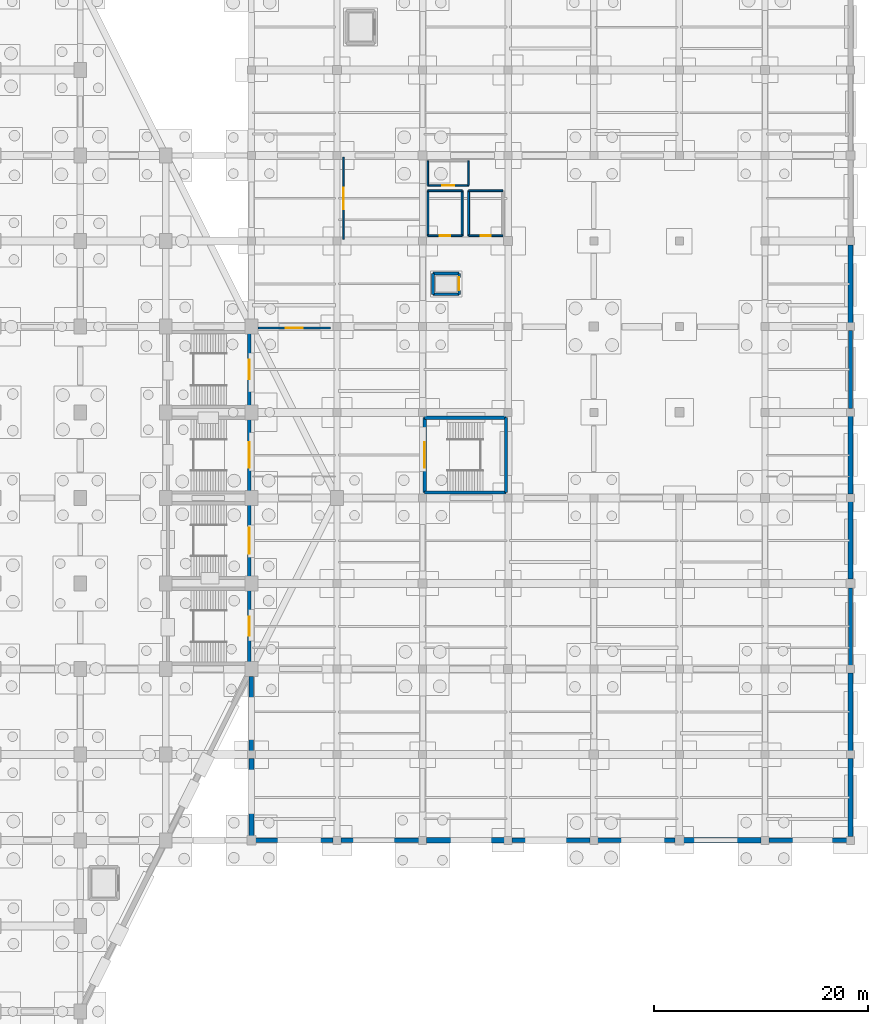
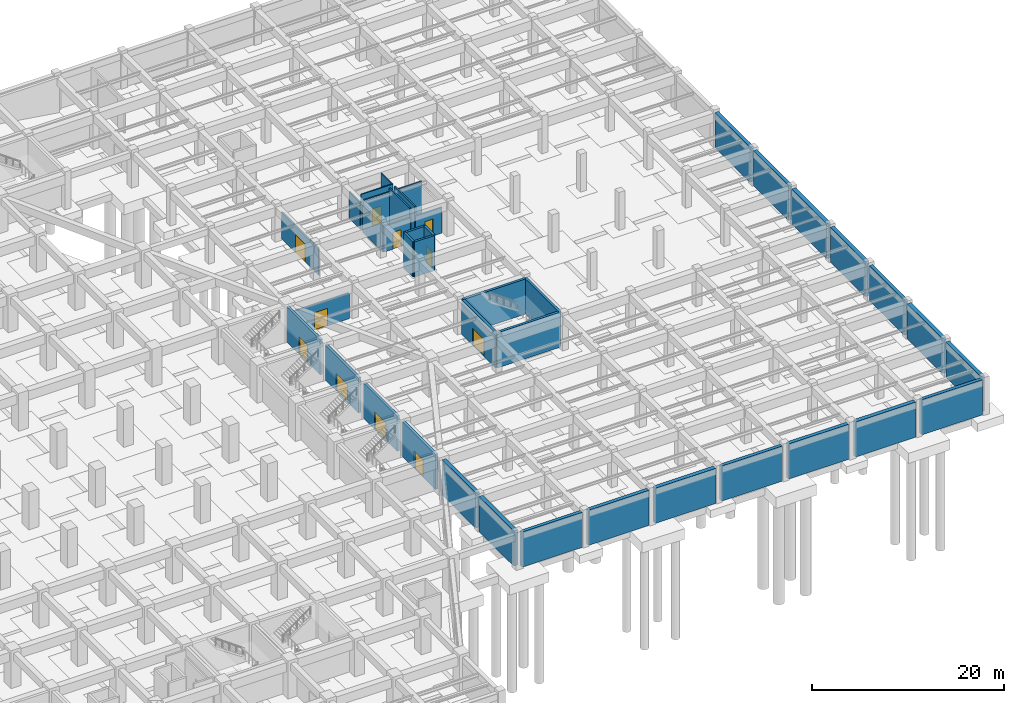
# One storey, part 28 of 36: 40 walls, 11 doors, 11 openings.
"""IFC4 building model written with IfcOpenShell, lengths in metres."""

from ifc_helpers import new_model, si_unit, direction, frame, frame_2d, origin, place, context, subcontext, project, spatial, rectangle, extrude, material, layer, layer_set, type_object, element, fill, save


model = new_model("IFC4")

# Units and contexts
model_context = context("Model", 3, precision=1e-05, world=origin(), true_north=direction((0.0, 1.0)))
body_context = subcontext(model_context, "Body", "Model", "MODEL_VIEW")
ifc_project = project(units=[si_unit("LENGTHUNIT", "METRE"), si_unit("AREAUNIT", "SQUARE_METRE"), si_unit("VOLUMEUNIT", "CUBIC_METRE"), si_unit("PLANEANGLEUNIT", "RADIAN"), si_unit("MASSUNIT", "GRAM", prefix="KILO")], contexts=[model_context])

# Site, building, storey
site_placement = place(None, origin())
site = spatial("IfcSite", under=ifc_project, at=site_placement, CompositionType="ELEMENT")
building_placement = place(site_placement, origin())
building = spatial("IfcBuilding", under=site, at=building_placement, Name="Tazarka Park Arena", CompositionType="ELEMENT")
storey_placement = place(building_placement, frame((0.0, 0.0, -4.800048828125)))
storey = spatial("IfcBuildingStorey", under=building, at=storey_placement, Name="B1", CompositionType="ELEMENT", Elevation=-4.800048828125)

# Wall, opening, door
ifc_material_1 = material(Name="Concrete C40/50", Category="concrete")
ifc_layer_1 = layer(ifc_material_1, 0.300048828125, Name="Concrete C40/50")
ifc_layer_set_1 = layer_set([ifc_layer_1], Name="Concrete C40/50")
wall_type_1 = type_object("IfcWallType", Name="IWAL-CW-S1", PredefinedType="SHEAR", material=ifc_layer_set_1)
wall_1_placement = place(storey_placement, frame((127.800048828125, 63.5, 0.0), z_axis=(0.0, 0.0, 1.0), x_axis=(0.0, -1.0, 0.0)))
wall_1 = element("IfcWall", 1, at=wall_1_placement, inside=storey, type_object=wall_type_1, Name="SCW-B1-ST12-E", PredefinedType="SHEAR", context=body_context, shape_type="SweptSolid", body=[
    extrude(rectangle(XDim=7.0, YDim=0.300048828125, at=frame_2d((3.5, 0.0))), origin(), (0.0, 0.0, 1.0), 4.4599609375),
])
opening_1_placement = place(wall_1_placement, frame((2.300048828125, 0.0, 0.0)))
opening_1 = element("IfcOpeningElement", 2, at=opening_1_placement, cuts=wall_1, Name="Opening ID-05", PredefinedType="OPENING", context=body_context, shape_type="SweptSolid", body=[
    extrude(rectangle(XDim=2.39990234375, YDim=2.199951171875, at=frame_2d((1.199951171875, 1.10009765625))), frame((0.0, 0.16015625, 0.0), z_axis=(0.0, -1.0, 0.0), x_axis=(1.0, 0.0, 0.0)), (0.0, 0.0, 1.0), 0.320068359375),
])
ifc_material_2 = material(Name="Fire-rated powder-coated steel and acoustic timber", Category="steel")
door_type_1 = type_object("IfcDoorType", Name="IDR-ID-05", OperationType="NOTDEFINED", PredefinedType="DOOR", material=ifc_material_2)
door_1_placement = place(opening_1_placement, frame((2.39990234375, 0.0, 0.0), z_axis=(0.0, 0.0, 1.0), x_axis=(-1.0, 0.0, 0.0)))
door_1 = element("IfcDoor", 3, at=door_1_placement, inside=storey, type_object=door_type_1, Name="Exit Stair Door ST12-B1", OperationType="DOUBLE_DOOR_SINGLE_SWING", OverallHeight=2.199951171875, OverallWidth=2.39990234375, PredefinedType="DOOR", context=body_context, shape_type="SweptSolid", body=[
    extrude(rectangle(XDim=2.39990234375, YDim=2.199951171875, at=frame_2d((1.199951171875, 1.10009765625))), frame((0.0, 0.02490234375, 0.0), z_axis=(0.0, -1.0, 0.0), x_axis=(1.0, 0.0, 0.0)), (0.0, 0.0, 1.0), 0.050048828125),
])
fill(opening_1, door_1)

wall_2_placement = place(storey_placement, frame((127.800048828125, 71.5, 0.0), z_axis=(0.0, 0.0, 1.0), x_axis=(0.0, -1.0, 0.0)))
wall_2 = element("IfcWall", 4, at=wall_2_placement, inside=storey, type_object=wall_type_1, Name="SCW-B1-ST16-E", PredefinedType="SHEAR", context=body_context, shape_type="SweptSolid", body=[
    extrude(rectangle(XDim=7.0, YDim=0.300048828125, at=frame_2d((3.5, 0.0))), origin(), (0.0, 0.0, 1.0), 4.4599609375),
])
opening_2_placement = place(wall_2_placement, frame((2.300048828125, 0.0, 0.0)))
opening_2 = element("IfcOpeningElement", 5, at=opening_2_placement, cuts=wall_2, Name="Opening ID-05", PredefinedType="OPENING", context=body_context, shape_type="SweptSolid", body=[
    extrude(rectangle(XDim=2.39990234375, YDim=2.199951171875, at=frame_2d((1.199951171875, 1.10009765625))), frame((0.0, 0.16015625, 0.0), z_axis=(0.0, -1.0, 0.0), x_axis=(1.0, 0.0, 0.0)), (0.0, 0.0, 1.0), 0.320068359375),
])
door_2_placement = place(opening_2_placement, frame((2.39990234375, 0.0, 0.0), z_axis=(0.0, 0.0, 1.0), x_axis=(-1.0, 0.0, 0.0)))
door_2 = element("IfcDoor", 6, at=door_2_placement, inside=storey, type_object=door_type_1, Name="Exit Stair Door ST16-B1", OperationType="DOUBLE_DOOR_SINGLE_SWING", OverallHeight=2.199951171875, OverallWidth=2.39990234375, PredefinedType="DOOR", context=body_context, shape_type="SweptSolid", body=[
    extrude(rectangle(XDim=2.39990234375, YDim=2.199951171875, at=frame_2d((1.199951171875, 1.10009765625))), frame((0.0, 0.02490234375, 0.0), z_axis=(0.0, -1.0, 0.0), x_axis=(1.0, 0.0, 0.0)), (0.0, 0.0, 1.0), 0.050048828125),
])
fill(opening_2, door_2)

# Wall
wall_3_placement = place(storey_placement, frame((151.800048828125, 64.5, 0.0), z_axis=(0.0, 0.0, 1.0), x_axis=(-1.0, 0.0, 0.0)))
element("IfcWall", 7, at=wall_3_placement, inside=storey, type_object=wall_type_1, Name="SCW-B1-ST18-S", PredefinedType="SHEAR", context=body_context, shape_type="SweptSolid", body=[
    extrude(rectangle(XDim=7.60009765625, YDim=0.300048828125, at=frame_2d((3.800048828125, 0.0))), origin(), (0.0, 0.0, 1.0), 4.4599609375),
])

# Wall, opening, door
wall_4_placement = place(storey_placement, frame((144.199951171875, 64.5, 0.0), z_axis=(0.0, 0.0, 1.0), x_axis=(0.0, 1.0, 0.0)))
wall_4 = element("IfcWall", 8, at=wall_4_placement, inside=storey, type_object=wall_type_1, Name="SCW-B1-ST18-W", PredefinedType="SHEAR", context=body_context, shape_type="SweptSolid", body=[
    extrude(rectangle(XDim=7.0, YDim=0.300048828125, at=frame_2d((3.5, 0.0))), origin(), (0.0, 0.0, 1.0), 4.4599609375),
])
opening_3_placement = place(wall_4_placement, frame((2.300048828125, 0.0, 0.0)))
opening_3 = element("IfcOpeningElement", 9, at=opening_3_placement, cuts=wall_4, Name="Opening ID-05", PredefinedType="OPENING", context=body_context, shape_type="SweptSolid", body=[
    extrude(rectangle(XDim=2.39990234375, YDim=2.199951171875, at=frame_2d((1.199951171875, 1.10009765625))), frame((0.0, 0.16015625, 0.0), z_axis=(0.0, -1.0, 0.0), x_axis=(1.0, 0.0, 0.0)), (0.0, 0.0, 1.0), 0.320068359375),
])
door_3_placement = place(opening_3_placement, frame((2.39990234375, 0.0, 0.0), z_axis=(0.0, 0.0, 1.0), x_axis=(-1.0, 0.0, 0.0)))
door_3 = element("IfcDoor", 10, at=door_3_placement, inside=storey, type_object=door_type_1, Name="Exit Stair Door ST18-B1", OperationType="DOUBLE_DOOR_SINGLE_SWING", OverallHeight=2.199951171875, OverallWidth=2.39990234375, PredefinedType="DOOR", context=body_context, shape_type="SweptSolid", body=[
    extrude(rectangle(XDim=2.39990234375, YDim=2.199951171875, at=frame_2d((1.199951171875, 1.10009765625))), frame((0.0, 0.02490234375, 0.0), z_axis=(0.0, -1.0, 0.0), x_axis=(1.0, 0.0, 0.0)), (0.0, 0.0, 1.0), 0.050048828125),
])
fill(opening_3, door_3)

# Walls
wall_5_placement = place(storey_placement, frame((144.199951171875, 71.5, 0.0), z_axis=(0.0, 0.0, 1.0), x_axis=(1.0, 0.0, 0.0)))
element("IfcWall", 11, at=wall_5_placement, inside=storey, type_object=wall_type_1, Name="SCW-B1-ST18-N", PredefinedType="SHEAR", context=body_context, shape_type="SweptSolid", body=[
    extrude(rectangle(XDim=7.60009765625, YDim=0.300048828125, at=frame_2d((3.800048828125, 0.0))), origin(), (0.0, 0.0, 1.0), 4.4599609375),
])
wall_6_placement = place(storey_placement, frame((151.800048828125, 71.5, 0.0), z_axis=(0.0, 0.0, 1.0), x_axis=(0.0, -1.0, 0.0)))
element("IfcWall", 12, at=wall_6_placement, inside=storey, type_object=wall_type_1, Name="SCW-B1-ST18-E", PredefinedType="SHEAR", context=body_context, shape_type="SweptSolid", body=[
    extrude(rectangle(XDim=7.0, YDim=0.300048828125, at=frame_2d((3.5, 0.0))), origin(), (0.0, 0.0, 1.0), 4.4599609375),
])

# Wall, opening, door
wall_7_placement = place(storey_placement, frame((127.800048828125, 55.5, 0.0), z_axis=(0.0, 0.0, 1.0), x_axis=(0.0, -1.0, 0.0)))
wall_7 = element("IfcWall", 13, at=wall_7_placement, inside=storey, type_object=wall_type_1, Name="SCW-B1-ST21-E", PredefinedType="SHEAR", context=body_context, shape_type="SweptSolid", body=[
    extrude(rectangle(XDim=7.0, YDim=0.300048828125, at=frame_2d((3.5, 0.0))), origin(), (0.0, 0.0, 1.0), 4.4599609375),
])
opening_4_placement = place(wall_7_placement, frame((2.60009765625, 0.0, 0.0)))
opening_4 = element("IfcOpeningElement", 14, at=opening_4_placement, cuts=wall_7, Name="Opening ID-04", PredefinedType="OPENING", context=body_context, shape_type="SweptSolid", body=[
    extrude(rectangle(XDim=1.800048828125, YDim=2.199951171875, at=frame_2d((0.89990234375, 1.10009765625))), frame((0.0, 0.16015625, 0.0), z_axis=(0.0, -1.0, 0.0), x_axis=(1.0, 0.0, 0.0)), (0.0, 0.0, 1.0), 0.320068359375),
])
ifc_material_3 = material(Name="Fire-rated powder-coated steel and acoustic timber", Category="steel")
door_type_2 = type_object("IfcDoorType", Name="IDR-ID-04", OperationType="NOTDEFINED", PredefinedType="DOOR", material=ifc_material_3)
door_4_placement = place(opening_4_placement, frame((1.800048828125, 0.0, 0.0), z_axis=(0.0, 0.0, 1.0), x_axis=(-1.0, 0.0, 0.0)))
door_4 = element("IfcDoor", 15, at=door_4_placement, inside=storey, type_object=door_type_2, Name="Vomitory Stair Door ST21-B1", OperationType="DOUBLE_DOOR_SINGLE_SWING", OverallHeight=2.199951171875, OverallWidth=1.800048828125, PredefinedType="DOOR", context=body_context, shape_type="SweptSolid", body=[
    extrude(rectangle(XDim=1.800048828125, YDim=2.199951171875, at=frame_2d((0.89990234375, 1.10009765625))), frame((0.0, 0.02490234375, 0.0), z_axis=(0.0, -1.0, 0.0), x_axis=(1.0, 0.0, 0.0)), (0.0, 0.0, 1.0), 0.050048828125),
])
fill(opening_4, door_4)

wall_8_placement = place(storey_placement, frame((127.800048828125, 79.5, 0.0), z_axis=(0.0, 0.0, 1.0), x_axis=(0.0, -1.0, 0.0)))
wall_8 = element("IfcWall", 16, at=wall_8_placement, inside=storey, type_object=wall_type_1, Name="SCW-B1-ST22-E", PredefinedType="SHEAR", context=body_context, shape_type="SweptSolid", body=[
    extrude(rectangle(XDim=7.0, YDim=0.300048828125, at=frame_2d((3.5, 0.0))), origin(), (0.0, 0.0, 1.0), 4.4599609375),
])
opening_5_placement = place(wall_8_placement, frame((2.60009765625, 0.0, 0.0)))
opening_5 = element("IfcOpeningElement", 17, at=opening_5_placement, cuts=wall_8, Name="Opening ID-04", PredefinedType="OPENING", context=body_context, shape_type="SweptSolid", body=[
    extrude(rectangle(XDim=1.800048828125, YDim=2.199951171875, at=frame_2d((0.89990234375, 1.10009765625))), frame((0.0, 0.16015625, 0.0), z_axis=(0.0, -1.0, 0.0), x_axis=(1.0, 0.0, 0.0)), (0.0, 0.0, 1.0), 0.320068359375),
])
door_5_placement = place(opening_5_placement, frame((1.800048828125, 0.0, 0.0), z_axis=(0.0, 0.0, 1.0), x_axis=(-1.0, 0.0, 0.0)))
door_5 = element("IfcDoor", 18, at=door_5_placement, inside=storey, type_object=door_type_2, Name="Vomitory Stair Door ST22-B1", OperationType="DOUBLE_DOOR_SINGLE_SWING", OverallHeight=2.199951171875, OverallWidth=1.800048828125, PredefinedType="DOOR", context=body_context, shape_type="SweptSolid", body=[
    extrude(rectangle(XDim=1.800048828125, YDim=2.199951171875, at=frame_2d((0.89990234375, 1.10009765625))), frame((0.0, 0.02490234375, 0.0), z_axis=(0.0, -1.0, 0.0), x_axis=(1.0, 0.0, 0.0)), (0.0, 0.0, 1.0), 0.050048828125),
])
fill(opening_5, door_5)

# Walls
ifc_material_4 = material(Name="Concrete C40/50", Category="concrete")
ifc_layer_2 = layer(ifc_material_4, 0.260009765625, Name="Concrete C40/50")
ifc_layer_set_2 = layer_set([ifc_layer_2], Name="Concrete C40/50")
wall_type_2 = type_object("IfcWallType", Name="IWAL-CW-S3", PredefinedType="SHEAR", material=ifc_layer_set_2)
wall_9_placement = place(storey_placement, frame((144.97998046875, 83.030029296875, 0.0), z_axis=(0.0, 0.0, 1.0), x_axis=(0.0, 1.0, 0.0)))
element("IfcWall", 19, at=wall_9_placement, inside=storey, type_object=wall_type_2, Name="LSW-B1-LF-10-W", PredefinedType="SHEAR", context=body_context, shape_type="SweptSolid", body=[
    extrude(rectangle(XDim=1.93994140625, YDim=0.260009765625, at=frame_2d((0.969970703125, 0.0))), origin(), (0.0, 0.0, 1.0), 4.4599609375),
])
for number, where, z_axis, x_axis, name in (
    (20, (144.97998046875, 84.969970703125, 0.0), (0.0, 0.0, 1.0), (1.0, 0.0, 0.0), "LSW-B1-LF-10-N"),
    (21, (147.419921875, 83.030029296875, 0.0), (0.0, 0.0, 1.0), (-1.0, 0.0, 0.0), "LSW-B1-LF-10-S"),
):
    element("IfcWall", number, at=place(storey_placement, frame(where, z_axis=z_axis, x_axis=x_axis)), inside=storey, type_object=wall_type_2, Name=name, PredefinedType="SHEAR", context=body_context, shape_type="SweptSolid", body=[
        extrude(rectangle(XDim=2.43994140625, YDim=0.260009765625, at=frame_2d((1.219970703125, 0.0))), origin(), (0.0, 0.0, 1.0), 4.4599609375),
    ])

# Wall, opening, door
wall_10_placement = place(storey_placement, frame((147.419921875, 84.969970703125, 0.0), z_axis=(0.0, 0.0, 1.0), x_axis=(0.0, -1.0, 0.0)))
wall_10 = element("IfcWall", 22, at=wall_10_placement, inside=storey, type_object=wall_type_2, Name="LSW-B1-LF-10-E", PredefinedType="SHEAR", context=body_context, shape_type="SweptSolid", body=[
    extrude(rectangle(XDim=1.93994140625, YDim=0.260009765625, at=frame_2d((0.969970703125, 0.0))), origin(), (0.0, 0.0, 1.0), 4.4599609375),
])
opening_6_placement = place(wall_10_placement, frame((0.3701171875, 0.0, 0.0)))
opening_6 = element("IfcOpeningElement", 23, at=opening_6_placement, cuts=wall_10, Name="Opening LD-02", PredefinedType="OPENING", context=body_context, shape_type="SweptSolid", body=[
    extrude(rectangle(XDim=1.199951171875, YDim=2.14990234375, at=frame_2d((0.60009765625, 1.074951171875))), frame((0.0, 0.14013671875, 0.0), z_axis=(0.0, -1.0, 0.0), x_axis=(1.0, 0.0, 0.0)), (0.0, 0.0, 1.0), 0.280029296875),
])
ifc_material_5 = material(Name="Fire-rated powder-coated steel and acoustic timber", Category="steel")
door_type_3 = type_object("IfcDoorType", Name="IDR-LD-02", OperationType="NOTDEFINED", PredefinedType="DOOR", material=ifc_material_5)
door_6_placement = place(opening_6_placement, origin())
door_6 = element("IfcDoor", 24, at=door_6_placement, inside=storey, type_object=door_type_3, Name="Lift Landing Door LF-10-B1", OperationType="SLIDING_TO_LEFT", OverallHeight=2.14990234375, OverallWidth=1.199951171875, PredefinedType="DOOR", context=body_context, shape_type="SweptSolid", body=[
    extrude(rectangle(XDim=1.199951171875, YDim=2.14990234375, at=frame_2d((0.60009765625, 1.074951171875))), frame((0.0, 0.02490234375, 0.0), z_axis=(0.0, -1.0, 0.0), x_axis=(1.0, 0.0, 0.0)), (0.0, 0.0, 1.0), 0.050048828125),
])
fill(opening_6, door_6)

ifc_material_6 = material(Name="High-isolation suite party partition")
ifc_layer_3 = layer(ifc_material_6, 0.18994140625, Name="High-isolation suite party partition")
ifc_layer_set_3 = layer_set([ifc_layer_3], Name="High-isolation suite party partition")
wall_type_3 = type_object("IfcWallType", Name="IWAL-PT-08", PredefinedType="PARTITIONING", material=ifc_layer_set_3)
wall_11_placement = place(storey_placement, frame((128.611083984375, 79.89990234375, 0.0), z_axis=(0.0, 0.0, 1.0), x_axis=(1.0, 0.0, 0.0)))
wall_11 = element("IfcWall", 25, at=wall_11_placement, inside=storey, type_object=wall_type_3, Name="PRT-B1-006", PredefinedType="PARTITIONING", context=body_context, shape_type="SweptSolid", body=[
    extrude(rectangle(XDim=6.77783203125, YDim=0.18994140625, at=frame_2d((3.388916015625, 0.0))), origin(), (0.0, 0.0, 1.0), 3.25),
])
opening_7_placement = place(wall_11_placement, frame((2.5888671875, 0.0, 0.0)))
opening_7 = element("IfcOpeningElement", 26, at=opening_7_placement, cuts=wall_11, Name="Opening ID-07", PredefinedType="OPENING", context=body_context, shape_type="SweptSolid", body=[
    extrude(rectangle(XDim=1.60009765625, YDim=2.199951171875, at=frame_2d((0.800048828125, 1.10009765625))), frame((0.0, 0.10498046875, 0.0), z_axis=(0.0, -1.0, 0.0), x_axis=(1.0, 0.0, 0.0)), (0.0, 0.0, 1.0), 0.2099609375),
])
ifc_material_7 = material(Name="Fire-rated powder-coated steel and acoustic timber", Category="steel")
door_type_4 = type_object("IfcDoorType", Name="IDR-ID-07", OperationType="NOTDEFINED", PredefinedType="DOOR", material=ifc_material_7)
door_7_placement = place(opening_7_placement, origin())
door_7 = element("IfcDoor", 27, at=door_7_placement, inside=storey, type_object=door_type_4, Name="Room Door Athlete Hydrotherapy and Conditioning Suite", OperationType="DOUBLE_DOOR_SINGLE_SWING", OverallHeight=2.199951171875, OverallWidth=1.60009765625, PredefinedType="DOOR", context=body_context, shape_type="SweptSolid", body=[
    extrude(rectangle(XDim=1.60009765625, YDim=2.199951171875, at=frame_2d((0.800048828125, 1.10009765625))), frame((0.0, 0.02490234375, 0.0), z_axis=(0.0, -1.0, 0.0), x_axis=(1.0, 0.0, 0.0)), (0.0, 0.0, 1.0), 0.050048828125),
])
fill(opening_7, door_7)

ifc_material_8 = material(Name="Lightweight metal-stud partition")
ifc_layer_4 = layer(ifc_material_8, 0.125, Name="Lightweight metal-stud partition")
ifc_layer_set_4 = layer_set([ifc_layer_4], Name="Lightweight metal-stud partition")
wall_type_4 = type_object("IfcWallType", Name="IWAL-PT-09", PredefinedType="PARTITIONING", material=ifc_layer_set_4)
wall_12_placement = place(storey_placement, frame((136.60009765625, 88.1533203125, 0.0), z_axis=(0.0, 0.0, 1.0), x_axis=(0.0, 1.0, 0.0)))
wall_12 = element("IfcWall", 28, at=wall_12_placement, inside=storey, type_object=wall_type_4, Name="PRT-B1-007", PredefinedType="PARTITIONING", context=body_context, shape_type="SweptSolid", body=[
    extrude(rectangle(XDim=7.693359375, YDim=0.125, at=frame_2d((3.8466796875, 0.0))), origin(), (0.0, 0.0, 1.0), 3.449951171875),
])
opening_8_placement = place(wall_12_placement, frame((2.8466796875, 0.0, 0.0)))
opening_8 = element("IfcOpeningElement", 29, at=opening_8_placement, cuts=wall_12, Name="Opening ID-08", PredefinedType="OPENING", context=body_context, shape_type="SweptSolid", body=[
    extrude(rectangle(XDim=2.0, YDim=2.25, at=frame_2d((1.0, 1.125))), frame((0.0, 0.072509765625, 0.0), z_axis=(0.0, -1.0, 0.0), x_axis=(1.0, 0.0, 0.0)), (0.0, 0.0, 1.0), 0.14501953125),
])
ifc_material_9 = material(Name="Fire-rated powder-coated steel and acoustic timber", Category="steel")
door_type_5 = type_object("IfcDoorType", Name="IDR-ID-08", OperationType="NOTDEFINED", PredefinedType="DOOR", material=ifc_material_9)
door_8_placement = place(opening_8_placement, origin())
door_8 = element("IfcDoor", 30, at=door_8_placement, inside=storey, type_object=door_type_5, Name="Room Door Team Equipment Laundry and Kit Management Suite", OperationType="DOUBLE_DOOR_SINGLE_SWING", OverallHeight=2.25, OverallWidth=2.0, PredefinedType="DOOR", context=body_context, shape_type="SweptSolid", body=[
    extrude(rectangle(XDim=2.0, YDim=2.25, at=frame_2d((1.0, 1.125))), frame((0.0, 0.02490234375, 0.0), z_axis=(0.0, -1.0, 0.0), x_axis=(1.0, 0.0, 0.0)), (0.0, 0.0, 1.0), 0.050048828125),
])
fill(opening_8, door_8)

ifc_material_10 = material(Name="Acoustic gypsum stud partition")
ifc_layer_5 = layer(ifc_material_10, 0.135009765625, Name="Acoustic gypsum stud partition")
ifc_layer_set_5 = layer_set([ifc_layer_5], Name="Acoustic gypsum stud partition")
wall_type_5 = type_object("IfcWallType", Name="IWAL-PT-10", PredefinedType="PARTITIONING", material=ifc_layer_set_5)
wall_13_placement = place(storey_placement, frame((144.5, 93.199951171875, 0.0), z_axis=(0.0, 0.0, 1.0), x_axis=(1.0, 0.0, 0.0)))
wall_13 = element("IfcWall", 31, at=wall_13_placement, inside=storey, type_object=wall_type_5, Name="WCE-B1-021", PredefinedType="PARTITIONING", context=body_context, shape_type="SweptSolid", body=[
    extrude(rectangle(XDim=3.800048828125, YDim=0.135009765625, at=frame_2d((1.89990234375, 0.0))), origin(), (0.0, 0.0, 1.0), 4.4599609375),
])
opening_9_placement = place(wall_13_placement, frame((1.35009765625, 0.0, 0.0)))
opening_9 = element("IfcOpeningElement", 32, at=opening_9_placement, cuts=wall_13, Name="Opening ID-02", PredefinedType="OPENING", context=body_context, shape_type="SweptSolid", body=[
    extrude(rectangle(XDim=1.10009765625, YDim=2.14990234375, at=frame_2d((0.550048828125, 1.074951171875))), frame((0.0, 0.07763671875, 0.0), z_axis=(0.0, -1.0, 0.0), x_axis=(1.0, 0.0, 0.0)), (0.0, 0.0, 1.0), 0.155029296875),
])
ifc_material_11 = material(Name="Fire-rated powder-coated steel and acoustic timber", Category="steel")
door_type_6 = type_object("IfcDoorType", Name="IDR-ID-02", OperationType="NOTDEFINED", PredefinedType="DOOR", material=ifc_material_11)
door_9_placement = place(opening_9_placement, origin())
door_9 = element("IfcDoor", 33, at=door_9_placement, inside=storey, type_object=door_type_6, Name="Room Door Accessible WC East 2", OperationType="SINGLE_SWING_RIGHT", OverallHeight=2.14990234375, OverallWidth=1.10009765625, PredefinedType="DOOR", context=body_context, shape_type="SweptSolid", body=[
    extrude(rectangle(XDim=1.10009765625, YDim=2.14990234375, at=frame_2d((0.550048828125, 1.074951171875))), frame((0.0, 0.02490234375, 0.0), z_axis=(0.0, -1.0, 0.0), x_axis=(1.0, 0.0, 0.0)), (0.0, 0.0, 1.0), 0.050048828125),
])
fill(opening_9, door_9)

# Walls
wall_14_placement = place(storey_placement, frame((148.300048828125, 93.199951171875, 0.0), z_axis=(0.0, 0.0, 1.0), x_axis=(0.0, 1.0, 0.0)))
element("IfcWall", 34, at=wall_14_placement, inside=storey, type_object=wall_type_5, Name="WCE-B1-022", PredefinedType="PARTITIONING", context=body_context, shape_type="SweptSolid", body=[
    extrude(rectangle(XDim=2.300048828125, YDim=0.135009765625, at=frame_2d((1.14990234375, 0.0))), origin(), (0.0, 0.0, 1.0), 4.4599609375),
])
wall_15_placement = place(storey_placement, frame((144.5, 95.5, 0.0), z_axis=(0.0, 0.0, 1.0), x_axis=(0.0, -1.0, 0.0)))
element("IfcWall", 35, at=wall_15_placement, inside=storey, type_object=wall_type_5, Name="WCE-B1-024", PredefinedType="PARTITIONING", context=body_context, shape_type="SweptSolid", body=[
    extrude(rectangle(XDim=2.300048828125, YDim=0.135009765625, at=frame_2d((1.14990234375, 0.0))), origin(), (0.0, 0.0, 1.0), 3.449951171875),
])

# Wall, opening, door
ifc_material_12 = material(Name="Wet-zone tiled blockwork wall", Category="masonry")
ifc_layer_6 = layer(ifc_material_12, 0.175048828125, Name="Wet-zone tiled blockwork wall")
ifc_layer_set_6 = layer_set([ifc_layer_6], Name="Wet-zone tiled blockwork wall")
wall_type_6 = type_object("IfcWallType", Name="IWAL-PT-18", PredefinedType="PARTITIONING", material=ifc_layer_set_6)
wall_16_placement = place(storey_placement, frame((144.5, 88.5, 0.0), z_axis=(0.0, 0.0, 1.0), x_axis=(1.0, 0.0, 0.0)))
wall_16 = element("IfcWall", 36, at=wall_16_placement, inside=storey, type_object=wall_type_6, Name="WCE-B1-013", PredefinedType="PARTITIONING", context=body_context, shape_type="SweptSolid", body=[
    extrude(rectangle(XDim=3.199951171875, YDim=0.175048828125, at=frame_2d((1.60009765625, 0.0))), origin(), (0.0, 0.0, 1.0), 3.25),
])
opening_10_placement = place(wall_16_placement, frame((1.125, 0.0, 0.0)))
opening_10 = element("IfcOpeningElement", 37, at=opening_10_placement, cuts=wall_16, Name="Opening ID-09", PredefinedType="OPENING", context=body_context, shape_type="SweptSolid", body=[
    extrude(rectangle(XDim=0.949951171875, YDim=2.14990234375, at=frame_2d((0.47509765625, 1.074951171875))), frame((0.0, 0.09765625, 0.0), z_axis=(0.0, -1.0, 0.0), x_axis=(1.0, 0.0, 0.0)), (0.0, 0.0, 1.0), 0.195068359375),
])
ifc_material_13 = material(Name="Fire-rated powder-coated steel and acoustic timber", Category="steel")
door_type_7 = type_object("IfcDoorType", Name="IDR-ID-09", OperationType="NOTDEFINED", PredefinedType="DOOR", material=ifc_material_13)
door_10_placement = place(opening_10_placement, origin())
door_10 = element("IfcDoor", 38, at=door_10_placement, inside=storey, type_object=door_type_7, Name="Room Door Public Male WC East 2", OperationType="SINGLE_SWING_RIGHT", OverallHeight=2.14990234375, OverallWidth=0.949951171875, PredefinedType="DOOR", context=body_context, shape_type="SweptSolid", body=[
    extrude(rectangle(XDim=0.949951171875, YDim=2.14990234375, at=frame_2d((0.47509765625, 1.074951171875))), frame((0.0, 0.02490234375, 0.0), z_axis=(0.0, -1.0, 0.0), x_axis=(1.0, 0.0, 0.0)), (0.0, 0.0, 1.0), 0.050048828125),
])
fill(opening_10, door_10)

# Walls
wall_17_placement = place(storey_placement, frame((147.699951171875, 88.5, 0.0), z_axis=(0.0, 0.0, 1.0), x_axis=(0.0, 1.0, 0.0)))
element("IfcWall", 39, at=wall_17_placement, inside=storey, type_object=wall_type_6, Name="WCE-B1-014", PredefinedType="PARTITIONING", context=body_context, shape_type="SweptSolid", body=[
    extrude(rectangle(XDim=4.199951171875, YDim=0.175048828125, at=frame_2d((2.10009765625, 0.0))), origin(), (0.0, 0.0, 1.0), 4.4599609375),
])
wall_18_placement = place(storey_placement, frame((147.699951171875, 92.699951171875, 0.0), z_axis=(0.0, 0.0, 1.0), x_axis=(-1.0, 0.0, 0.0)))
element("IfcWall", 40, at=wall_18_placement, inside=storey, type_object=wall_type_6, Name="WCE-B1-015", PredefinedType="PARTITIONING", context=body_context, shape_type="SweptSolid", body=[
    extrude(rectangle(XDim=3.199951171875, YDim=0.175048828125, at=frame_2d((1.60009765625, 0.0))), origin(), (0.0, 0.0, 1.0), 4.0),
])
wall_19_placement = place(storey_placement, frame((144.5, 92.699951171875, 0.0), z_axis=(0.0, 0.0, 1.0), x_axis=(0.0, -1.0, 0.0)))
element("IfcWall", 41, at=wall_19_placement, inside=storey, type_object=wall_type_6, Name="WCE-B1-016", PredefinedType="PARTITIONING", context=body_context, shape_type="SweptSolid", body=[
    extrude(rectangle(XDim=4.199951171875, YDim=0.175048828125, at=frame_2d((2.10009765625, 0.0))), origin(), (0.0, 0.0, 1.0), 3.449951171875),
])

# Wall, opening, door
wall_20_placement = place(storey_placement, frame((148.300048828125, 88.5, 0.0), z_axis=(0.0, 0.0, 1.0), x_axis=(1.0, 0.0, 0.0)))
wall_20 = element("IfcWall", 42, at=wall_20_placement, inside=storey, type_object=wall_type_6, Name="WCE-B1-017", PredefinedType="PARTITIONING", context=body_context, shape_type="SweptSolid", body=[
    extrude(rectangle(XDim=3.199951171875, YDim=0.175048828125, at=frame_2d((1.60009765625, 0.0))), origin(), (0.0, 0.0, 1.0), 3.25),
])
opening_11_placement = place(wall_20_placement, frame((1.125, 0.0, 0.0)))
opening_11 = element("IfcOpeningElement", 43, at=opening_11_placement, cuts=wall_20, Name="Opening ID-09", PredefinedType="OPENING", context=body_context, shape_type="SweptSolid", body=[
    extrude(rectangle(XDim=0.949951171875, YDim=2.14990234375, at=frame_2d((0.47509765625, 1.074951171875))), frame((0.0, 0.09765625, 0.0), z_axis=(0.0, -1.0, 0.0), x_axis=(1.0, 0.0, 0.0)), (0.0, 0.0, 1.0), 0.195068359375),
])
door_11_placement = place(opening_11_placement, origin())
door_11 = element("IfcDoor", 44, at=door_11_placement, inside=storey, type_object=door_type_7, Name="Room Door Public Female WC East 2", OperationType="SINGLE_SWING_LEFT", OverallHeight=2.14990234375, OverallWidth=0.949951171875, PredefinedType="DOOR", context=body_context, shape_type="SweptSolid", body=[
    extrude(rectangle(XDim=0.949951171875, YDim=2.14990234375, at=frame_2d((0.47509765625, 1.074951171875))), frame((0.0, 0.02490234375, 0.0), z_axis=(0.0, -1.0, 0.0), x_axis=(1.0, 0.0, 0.0)), (0.0, 0.0, 1.0), 0.050048828125),
])
fill(opening_11, door_11)

# Walls
wall_21_placement = place(storey_placement, frame((151.5, 92.699951171875, 0.0), z_axis=(0.0, 0.0, 1.0), x_axis=(-1.0, 0.0, 0.0)))
element("IfcWall", 45, at=wall_21_placement, inside=storey, type_object=wall_type_6, Name="WCE-B1-019", PredefinedType="PARTITIONING", context=body_context, shape_type="SweptSolid", body=[
    extrude(rectangle(XDim=3.199951171875, YDim=0.175048828125, at=frame_2d((1.60009765625, 0.0))), origin(), (0.0, 0.0, 1.0), 4.0),
])
wall_22_placement = place(storey_placement, frame((148.300048828125, 92.699951171875, 0.0), z_axis=(0.0, 0.0, 1.0), x_axis=(0.0, -1.0, 0.0)))
element("IfcWall", 46, at=wall_22_placement, inside=storey, type_object=wall_type_6, Name="WCE-B1-020", PredefinedType="PARTITIONING", context=body_context, shape_type="SweptSolid", body=[
    extrude(rectangle(XDim=4.199951171875, YDim=0.175048828125, at=frame_2d((2.10009765625, 0.0))), origin(), (0.0, 0.0, 1.0), 4.4599609375),
])
ifc_material_14 = material(Name="Concrete C35/45", Category="concrete")
ifc_layer_7 = layer(ifc_material_14, 0.39990234375, Name="Concrete C35/45")
ifc_layer_set_7 = layer_set([ifc_layer_7], Name="Concrete C35/45")
wall_type_7 = type_object("IfcWallType", Name="WAL-RW-01", PredefinedType="USERDEFINED", material=ifc_layer_set_7)
wall_23_placement = place(storey_placement, frame((135.64501953125, 32.0, 0.0), z_axis=(0.0, 0.0, 1.0), x_axis=(-1.0, 0.0, 0.0)))
element("IfcWall", 47, at=wall_23_placement, inside=storey, type_object=wall_type_7, Name="EW-B1-0003", ObjectType="RETAININGWALL", PredefinedType="USERDEFINED", context=body_context, shape_type="SweptSolid", body=[
    extrude(rectangle(XDim=7.239990234375, YDim=0.39990234375, at=frame_2d((3.6201171875, 0.0))), origin(), (0.0, 0.0, 1.0), 4.4599609375),
])
for number, where, z_axis, x_axis, name in (
    (48, (159.64501953125, 32.0, 0.0), (0.0, 0.0, 1.0), (-1.0, 0.0, 0.0), "EW-B1-0006"),
    (49, (183.64501953125, 32.0, 0.0), (0.0, 0.0, 1.0), (-1.0, 0.0, 0.0), "EW-B1-0009"),
):
    element("IfcWall", number, at=place(storey_placement, frame(where, z_axis=z_axis, x_axis=x_axis)), inside=storey, type_object=wall_type_7, Name=name, ObjectType="RETAININGWALL", PredefinedType="USERDEFINED", context=body_context, shape_type="SweptSolid", body=[
        extrude(rectangle(XDim=7.2900390625, YDim=0.39990234375, at=frame_2d((3.64501953125, 0.0))), origin(), (0.0, 0.0, 1.0), 4.4599609375),
    ])
wall_24_placement = place(storey_placement, frame((184.0, 55.594970703125, 0.0), z_axis=(0.0, 0.0, 1.0), x_axis=(0.0, -1.0, 0.0)))
element("IfcWall", 50, at=wall_24_placement, inside=storey, type_object=wall_type_7, Name="EW-B1-0012", ObjectType="RETAININGWALL", PredefinedType="USERDEFINED", context=body_context, shape_type="SweptSolid", body=[
    extrude(rectangle(XDim=7.239990234375, YDim=0.39990234375, at=frame_2d((3.6201171875, 0.0))), origin(), (0.0, 0.0, 1.0), 4.4599609375),
])
wall_25_placement = place(storey_placement, frame((184.0, 79.64501953125, 0.0), z_axis=(0.0, 0.0, 1.0), x_axis=(0.0, -1.0, 0.0)))
element("IfcWall", 51, at=wall_25_placement, inside=storey, type_object=wall_type_7, Name="EW-B1-0015", ObjectType="RETAININGWALL", PredefinedType="USERDEFINED", context=body_context, shape_type="SweptSolid", body=[
    extrude(rectangle(XDim=7.2900390625, YDim=0.39990234375, at=frame_2d((3.64501953125, 0.0))), origin(), (0.0, 0.0, 1.0), 4.4599609375),
])
ifc_material_15 = material(Name="Concrete C35/45", Category="concrete")
ifc_layer_8 = layer(ifc_material_15, 0.43994140625, Name="Concrete C35/45")
ifc_layer_set_8 = layer_set([ifc_layer_8], Name="Concrete C35/45")
wall_type_8 = type_object("IfcWallType", Name="WAL-RW-02", PredefinedType="USERDEFINED", material=ifc_layer_set_8)
wall_26_placement = place(storey_placement, frame((128.0, 40.35498046875, 0.0), z_axis=(0.0, 0.0, 1.0), x_axis=(0.0, 1.0, 0.0)))
element("IfcWall", 52, at=wall_26_placement, inside=storey, type_object=wall_type_8, Name="EW-B1-0001", ObjectType="RETAININGWALL", PredefinedType="USERDEFINED", context=body_context, shape_type="SweptSolid", body=[
    extrude(rectangle(XDim=6.965087890625, YDim=0.43994140625, at=frame_2d((3.482421875, 0.0))), origin(), (0.0, 0.0, 1.0), 4.4599609375),
])
wall_27_placement = place(storey_placement, frame((143.64501953125, 32.0, 0.0), z_axis=(0.0, 0.0, 1.0), x_axis=(-1.0, 0.0, 0.0)))
element("IfcWall", 53, at=wall_27_placement, inside=storey, type_object=wall_type_8, Name="EW-B1-0004", ObjectType="RETAININGWALL", PredefinedType="USERDEFINED", context=body_context, shape_type="SweptSolid", body=[
    extrude(rectangle(XDim=7.2900390625, YDim=0.43994140625, at=frame_2d((3.64501953125, 0.0))), origin(), (0.0, 0.0, 1.0), 4.4599609375),
])
wall_28_placement = place(storey_placement, frame((167.594970703125, 32.0, 0.0), z_axis=(0.0, 0.0, 1.0), x_axis=(-1.0, 0.0, 0.0)))
element("IfcWall", 54, at=wall_28_placement, inside=storey, type_object=wall_type_8, Name="EW-B1-0007", ObjectType="RETAININGWALL", PredefinedType="USERDEFINED", context=body_context, shape_type="SweptSolid", body=[
    extrude(rectangle(XDim=7.239990234375, YDim=0.43994140625, at=frame_2d((3.6201171875, 0.0))), origin(), (0.0, 0.0, 1.0), 4.4599609375),
])
wall_29_placement = place(storey_placement, frame((184.0, 39.64501953125, 0.0), z_axis=(0.0, 0.0, 1.0), x_axis=(0.0, -1.0, 0.0)))
element("IfcWall", 55, at=wall_29_placement, inside=storey, type_object=wall_type_8, Name="EW-B1-0010", ObjectType="RETAININGWALL", PredefinedType="USERDEFINED", context=body_context, shape_type="SweptSolid", body=[
    extrude(rectangle(XDim=7.2900390625, YDim=0.43994140625, at=frame_2d((3.64501953125, 0.0))), origin(), (0.0, 0.0, 1.0), 4.4599609375),
])
wall_30_placement = place(storey_placement, frame((184.0, 63.64501953125, 0.0), z_axis=(0.0, 0.0, 1.0), x_axis=(0.0, -1.0, 0.0)))
element("IfcWall", 56, at=wall_30_placement, inside=storey, type_object=wall_type_8, Name="EW-B1-0013", ObjectType="RETAININGWALL", PredefinedType="USERDEFINED", context=body_context, shape_type="SweptSolid", body=[
    extrude(rectangle(XDim=7.239990234375, YDim=0.43994140625, at=frame_2d((3.6201171875, 0.0))), origin(), (0.0, 0.0, 1.0), 4.4599609375),
])
wall_31_placement = place(storey_placement, frame((184.0, 87.64501953125, 0.0), z_axis=(0.0, 0.0, 1.0), x_axis=(0.0, -1.0, 0.0)))
element("IfcWall", 57, at=wall_31_placement, inside=storey, type_object=wall_type_8, Name="EW-B1-0016", ObjectType="RETAININGWALL", PredefinedType="USERDEFINED", context=body_context, shape_type="SweptSolid", body=[
    extrude(rectangle(XDim=7.2900390625, YDim=0.43994140625, at=frame_2d((3.64501953125, 0.0))), origin(), (0.0, 0.0, 1.0), 4.4599609375),
])
ifc_material_16 = material(Name="Concrete C35/45", Category="concrete")
ifc_layer_9 = layer(ifc_material_16, 0.47998046875, Name="Concrete C35/45")
ifc_layer_set_9 = layer_set([ifc_layer_9], Name="Concrete C35/45")
wall_type_9 = type_object("IfcWallType", Name="WAL-RW-03", PredefinedType="USERDEFINED", material=ifc_layer_set_9)
wall_32_placement = place(storey_placement, frame((128.0, 32.405029296875, 0.0), z_axis=(0.0, 0.0, 1.0), x_axis=(0.0, 1.0, 0.0)))
element("IfcWall", 58, at=wall_32_placement, inside=storey, type_object=wall_type_9, Name="EW-B1-0002", ObjectType="RETAININGWALL", PredefinedType="USERDEFINED", context=body_context, shape_type="SweptSolid", body=[
    extrude(rectangle(XDim=7.239990234375, YDim=0.47998046875, at=frame_2d((3.6201171875, 0.0))), origin(), (0.0, 0.0, 1.0), 4.4599609375),
])
wall_33_placement = place(storey_placement, frame((151.64501953125, 32.0, 0.0), z_axis=(0.0, 0.0, 1.0), x_axis=(-1.0, 0.0, 0.0)))
element("IfcWall", 59, at=wall_33_placement, inside=storey, type_object=wall_type_9, Name="EW-B1-0005", ObjectType="RETAININGWALL", PredefinedType="USERDEFINED", context=body_context, shape_type="SweptSolid", body=[
    extrude(rectangle(XDim=7.2900390625, YDim=0.47998046875, at=frame_2d((3.64501953125, 0.0))), origin(), (0.0, 0.0, 1.0), 4.4599609375),
])
wall_34_placement = place(storey_placement, frame((175.64501953125, 32.0, 0.0), z_axis=(0.0, 0.0, 1.0), x_axis=(-1.0, 0.0, 0.0)))
element("IfcWall", 60, at=wall_34_placement, inside=storey, type_object=wall_type_9, Name="EW-B1-0008", ObjectType="RETAININGWALL", PredefinedType="USERDEFINED", context=body_context, shape_type="SweptSolid", body=[
    extrude(rectangle(XDim=7.239990234375, YDim=0.47998046875, at=frame_2d((3.6201171875, 0.0))), origin(), (0.0, 0.0, 1.0), 4.4599609375),
])
for number, where, z_axis, x_axis, name in (
    (61, (184.0, 47.64501953125, 0.0), (0.0, 0.0, 1.0), (0.0, -1.0, 0.0), "EW-B1-0011"),
    (62, (184.0, 71.64501953125, 0.0), (0.0, 0.0, 1.0), (0.0, -1.0, 0.0), "EW-B1-0014"),
):
    element("IfcWall", number, at=place(storey_placement, frame(where, z_axis=z_axis, x_axis=x_axis)), inside=storey, type_object=wall_type_9, Name=name, ObjectType="RETAININGWALL", PredefinedType="USERDEFINED", context=body_context, shape_type="SweptSolid", body=[
        extrude(rectangle(XDim=7.2900390625, YDim=0.47998046875, at=frame_2d((3.64501953125, 0.0))), origin(), (0.0, 0.0, 1.0), 4.4599609375),
    ])

save(model, "model.ifc")
